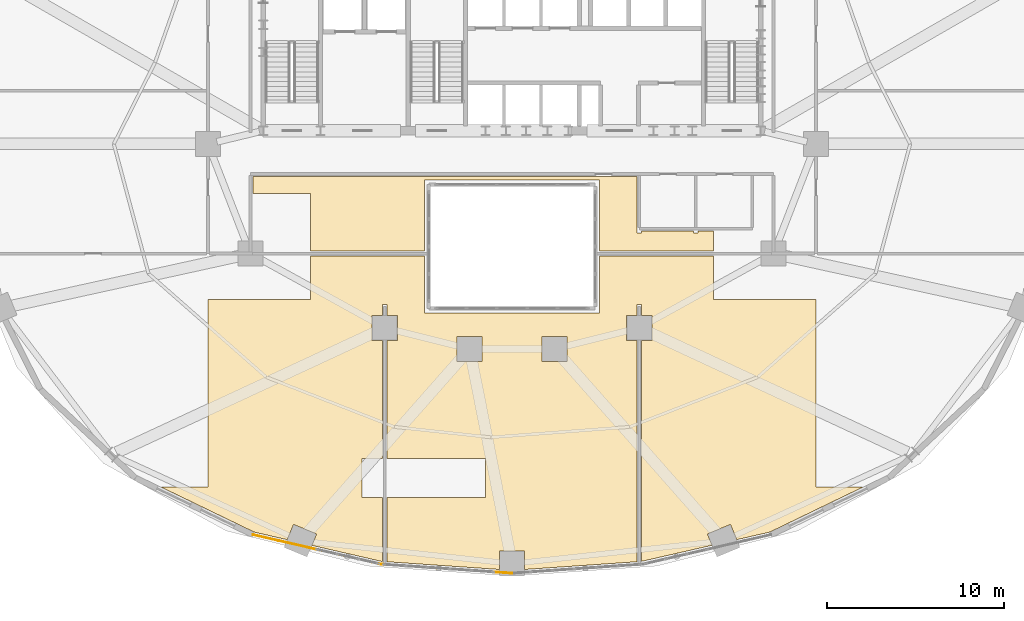
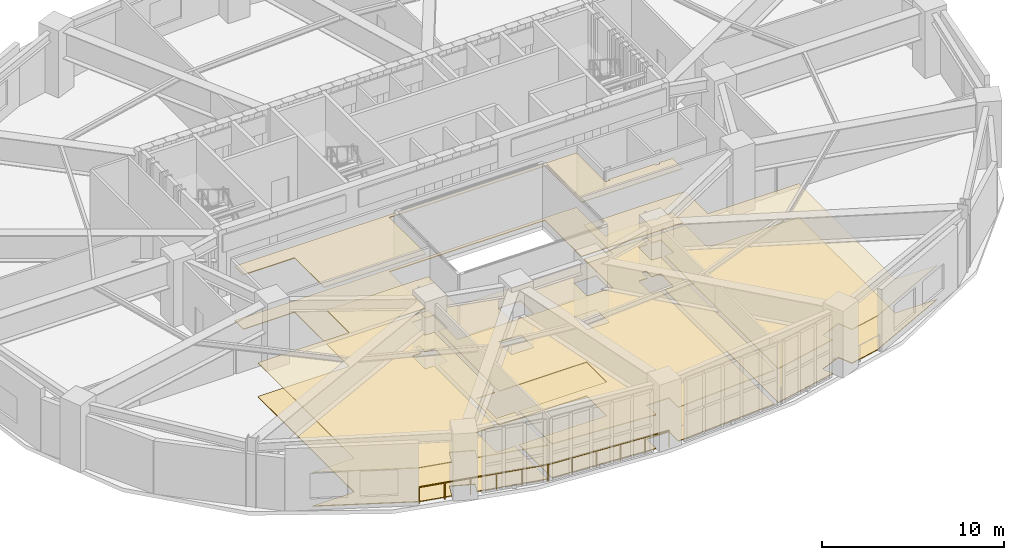
# One storey, part 12 of 13: 4 coverings, 2 railings.
"""IFC4 building model written with IfcOpenShell, lengths in metres."""

from ifc_helpers import new_model, si_unit, direction, frame, origin, origin_2d, place, context, subcontext, project, spatial, polyline, rectangle, outline, extrude, material, layer, layer_set, type_object, element, save


model = new_model("IFC4")

# Units and contexts
model_context = context("Model", 3, precision=1e-05, world=origin(), true_north=direction((0.0, 1.0)))
body_context = subcontext(model_context, "Body", "Model", "MODEL_VIEW")
ifc_project = project(units=[si_unit("LENGTHUNIT", "METRE"), si_unit("AREAUNIT", "SQUARE_METRE"), si_unit("VOLUMEUNIT", "CUBIC_METRE"), si_unit("PLANEANGLEUNIT", "RADIAN"), si_unit("MASSUNIT", "GRAM", prefix="KILO")], contexts=[model_context])

# Site, building, storey
site_placement = place(None, origin())
site = spatial("IfcSite", under=ifc_project, at=site_placement, CompositionType="ELEMENT")
building_placement = place(site_placement, origin())
building = spatial("IfcBuilding", under=site, at=building_placement, Name="Haldorwick Loom Tower", CompositionType="ELEMENT")
storey_placement = place(building_placement, frame((0.0, 0.0, 72.300048828125)))
storey = spatial("IfcBuildingStorey", under=building, at=storey_placement, Name="L19", CompositionType="ELEMENT", Elevation=72.300048828125)

# Coverings
ifc_material_1 = material(Name="Mineral Fibre Acoustic Ceiling Tile")
ifc_layer_1 = layer(ifc_material_1, 0.054931640625, Name="Mineral Fibre Acoustic Ceiling Tile")
ifc_layer_set_1 = layer_set([ifc_layer_1], Name="Mineral Fibre Acoustic Ceiling Tile")
covering_type_1 = type_object("IfcCoveringType", Name="ARC-COV-CEIL2", PredefinedType="CEILING", material=ifc_layer_set_1)
covering_1_placement = place(storey_placement, frame((0.0, 0.0, 2.264892578125)))
element("IfcCovering", 1, at=covering_1_placement, inside=storey, type_object=covering_type_1, Name="L19 Acoustic Suspended Ceiling 1", PredefinedType="CEILING", context=body_context, shape_type="SweptSolid", body=[
    extrude(outline(polyline([(55.883056640625, 6.60009765625), (53.199951171875, 6.60009765625), (53.199951171875, 17.199951171875), (47.39990234375, 17.199951171875), (47.39990234375, 19.669921875), (40.949951171875, 19.669921875), (40.949951171875, 16.449951171875), (31.050048828125, 16.449951171875), (31.050048828125, 19.669921875), (24.60009765625, 19.669921875), (24.60009765625, 17.199951171875), (18.800048828125, 17.199951171875), (18.800048828125, 6.60009765625), (16.116943359375, 6.60009765625), (21.410400390625, 4.041015625), (23.28076171875, 3.6103515625), (23.638916015625, 4.474609375), (24.947021484375, 3.932861328125), (24.68017578125, 3.288330078125), (28.613037109375, 2.38330078125), (28.669921875, 2.37939453125), (28.669921875, 6.0), (27.5, 6.0), (27.5, 8.199951171875), (28.669921875, 8.199951171875), (28.669921875, 14.89208984375), (28.092041015625, 14.89208984375), (28.092041015625, 16.30810546875), (28.669921875, 16.30810546875), (28.669921875, 16.909912109375), (28.670166015625, 16.912109375), (28.67041015625, 16.913818359375), (28.6708984375, 16.915771484375), (28.67138671875, 16.917724609375), (28.67236328125, 16.91943359375), (28.67333984375, 16.921142578125), (28.674560546875, 16.922607421875), (28.67578125, 16.924072265625), (28.67724609375, 16.925537109375), (28.678955078125, 16.926513671875), (28.6806640625, 16.927490234375), (28.682373046875, 16.928466796875), (28.68408203125, 16.92919921875), (28.68603515625, 16.9296875), (28.68798828125, 16.929931640625), (28.68994140625, 16.929931640625), (28.909912109375, 16.929931640625), (28.912109375, 16.929931640625), (28.913818359375, 16.9296875), (28.915771484375, 16.92919921875), (28.917724609375, 16.928466796875), (28.91943359375, 16.927490234375), (28.921142578125, 16.926513671875), (28.922607421875, 16.925537109375), (28.924072265625, 16.924072265625), (28.925537109375, 16.922607421875), (28.926513671875, 16.921142578125), (28.927490234375, 16.91943359375), (28.928466796875, 16.917724609375), (28.92919921875, 16.915771484375), (28.9296875, 16.913818359375), (28.929931640625, 16.912109375), (28.929931640625, 16.909912109375), (28.929931640625, 16.30810546875), (29.508056640625, 16.30810546875), (29.508056640625, 14.89208984375), (28.929931640625, 14.89208984375), (28.929931640625, 8.199951171875), (34.5, 8.199951171875), (34.5, 6.0), (28.929931640625, 6.0), (28.929931640625, 2.361572265625), (35.2919921875, 1.924072265625), (35.2919921875, 2.9580078125), (36.7080078125, 2.9580078125), (36.7080078125, 1.924072265625), (43.070068359375, 2.361572265625), (43.070068359375, 14.89208984375), (42.491943359375, 14.89208984375), (42.491943359375, 16.30810546875), (43.070068359375, 16.30810546875), (43.070068359375, 16.909912109375), (43.070068359375, 16.912109375), (43.0703125, 16.913818359375), (43.07080078125, 16.915771484375), (43.071533203125, 16.917724609375), (43.072509765625, 16.91943359375), (43.073486328125, 16.921142578125), (43.074462890625, 16.922607421875), (43.075927734375, 16.924072265625), (43.077392578125, 16.925537109375), (43.078857421875, 16.926513671875), (43.08056640625, 16.927490234375), (43.082275390625, 16.928466796875), (43.084228515625, 16.92919921875), (43.086181640625, 16.9296875), (43.087890625, 16.929931640625), (43.090087890625, 16.929931640625), (43.31005859375, 16.929931640625), (43.31201171875, 16.929931640625), (43.31396484375, 16.9296875), (43.31591796875, 16.92919921875), (43.317626953125, 16.928466796875), (43.3193359375, 16.927490234375), (43.321044921875, 16.926513671875), (43.32275390625, 16.925537109375), (43.32421875, 16.924072265625), (43.325439453125, 16.922607421875), (43.32666015625, 16.921142578125), (43.32763671875, 16.91943359375), (43.32861328125, 16.917724609375), (43.3291015625, 16.915771484375), (43.32958984375, 16.913818359375), (43.329833984375, 16.912109375), (43.330078125, 16.909912109375), (43.330078125, 16.30810546875), (43.907958984375, 16.30810546875), (43.907958984375, 14.89208984375), (43.330078125, 14.89208984375), (43.330078125, 2.383056640625), (47.317626953125, 3.293701171875), (47.052978515625, 3.932861328125), (48.361083984375, 4.474609375), (48.718017578125, 3.61328125), (50.589599609375, 4.041015625), (55.883056640625, 6.60009765625)]), holes=[polyline([(34.30810546875, 15.10791015625), (34.30810546875, 13.69189453125), (32.89208984375, 13.69189453125), (32.89208984375, 15.10791015625), (34.30810546875, 15.10791015625)]), polyline([(39.10791015625, 15.10791015625), (39.10791015625, 13.69189453125), (37.69189453125, 13.69189453125), (37.69189453125, 15.10791015625), (39.10791015625, 15.10791015625)])]), origin(), (0.0, 0.0, 1.0), 0.05517578125),
])
covering_2_placement = place(storey_placement, frame((0.0, 0.0, 3.64501953125)))
element("IfcCovering", 2, at=covering_2_placement, inside=storey, type_object=covering_type_1, Name="L19 Acoustic Suspended Ceiling 2", PredefinedType="CEILING", context=body_context, shape_type="SweptSolid", body=[
    extrude(outline(polyline([(47.39990234375, 19.936767578125), (47.39990234375, 21.070068359375), (46.530029296875, 21.070068359375), (46.530029296875, 20.989990234375), (46.52978515625, 20.988037109375), (46.529541015625, 20.986083984375), (46.529052734375, 20.984130859375), (46.528564453125, 20.982421875), (46.527587890625, 20.980712890625), (46.526611328125, 20.97900390625), (46.525390625, 20.977294921875), (46.524169921875, 20.975830078125), (46.522705078125, 20.974609375), (46.52099609375, 20.973388671875), (46.519287109375, 20.972412109375), (46.517578125, 20.971435546875), (46.515869140625, 20.970947265625), (46.513916015625, 20.970458984375), (46.511962890625, 20.97021484375), (46.510009765625, 20.969970703125), (46.2900390625, 20.969970703125), (46.2880859375, 20.97021484375), (46.2861328125, 20.970458984375), (46.2841796875, 20.970947265625), (46.2822265625, 20.971435546875), (46.280517578125, 20.972412109375), (46.27880859375, 20.973388671875), (46.27734375, 20.974609375), (46.27587890625, 20.975830078125), (46.2744140625, 20.977294921875), (46.2734375, 20.97900390625), (46.2724609375, 20.980712890625), (46.271484375, 20.982421875), (46.27099609375, 20.984130859375), (46.2705078125, 20.986083984375), (46.27001953125, 20.988037109375), (46.27001953125, 20.989990234375), (46.27001953125, 21.070068359375), (43.330078125, 21.070068359375), (43.330078125, 20.989990234375), (43.329833984375, 20.988037109375), (43.32958984375, 20.986083984375), (43.3291015625, 20.984130859375), (43.32861328125, 20.982421875), (43.32763671875, 20.980712890625), (43.32666015625, 20.97900390625), (43.325439453125, 20.977294921875), (43.32421875, 20.975830078125), (43.32275390625, 20.974609375), (43.321044921875, 20.973388671875), (43.3193359375, 20.972412109375), (43.317626953125, 20.971435546875), (43.31591796875, 20.970947265625), (43.31396484375, 20.970458984375), (43.31201171875, 20.97021484375), (43.31005859375, 20.969970703125), (43.090087890625, 20.969970703125), (43.087890625, 20.97021484375), (43.086181640625, 20.970458984375), (43.084228515625, 20.970947265625), (43.082275390625, 20.971435546875), (43.08056640625, 20.972412109375), (43.078857421875, 20.973388671875), (43.077392578125, 20.974609375), (43.075927734375, 20.975830078125), (43.074462890625, 20.977294921875), (43.073486328125, 20.97900390625), (43.072509765625, 20.980712890625), (43.071533203125, 20.982421875), (43.07080078125, 20.984130859375), (43.0703125, 20.986083984375), (43.070068359375, 20.988037109375), (43.070068359375, 20.989990234375), (43.070068359375, 24.159912109375), (21.340087890625, 24.159912109375), (21.340087890625, 23.199951171875), (24.60009765625, 23.199951171875), (24.60009765625, 19.936767578125), (31.050048828125, 19.93017578125), (31.050048828125, 23.949951171875), (40.949951171875, 23.949951171875), (40.949951171875, 19.93017578125), (47.39990234375, 19.936767578125)])), origin(), (0.0, 0.0, 1.0), 0.054931640625),
])
ifc_material_2 = material(Name="Polished Aggregate Terrazzo Finish")
ifc_layer_2 = layer(ifc_material_2, 0.044921875, Name="Polished Aggregate Terrazzo Finish")
ifc_layer_set_2 = layer_set([ifc_layer_2], Name="Polished Aggregate Terrazzo Finish")
covering_type_2 = type_object("IfcCoveringType", Name="ARC-COV-FLOOR2", PredefinedType="FLOORING", material=ifc_layer_set_2)
covering_3_placement = place(storey_placement, origin())
element("IfcCovering", 3, at=covering_3_placement, inside=storey, type_object=covering_type_2, Name="L19 Floor Finish 1", PredefinedType="FLOORING", context=body_context, shape_type="SweptSolid", body=[
    extrude(outline(polyline([(55.883056640625, 6.60009765625), (53.199951171875, 6.60009765625), (53.199951171875, 17.199951171875), (47.39990234375, 17.199951171875), (47.39990234375, 19.669921875), (40.949951171875, 19.669921875), (40.949951171875, 16.449951171875), (31.050048828125, 16.449951171875), (31.050048828125, 19.669921875), (24.60009765625, 19.669921875), (24.60009765625, 17.199951171875), (18.800048828125, 17.199951171875), (18.800048828125, 6.60009765625), (16.116943359375, 6.60009765625), (21.410400390625, 4.041015625), (23.28076171875, 3.6103515625), (23.638916015625, 4.474609375), (24.947021484375, 3.932861328125), (24.68017578125, 3.288330078125), (28.613037109375, 2.38330078125), (28.669921875, 2.37939453125), (28.669921875, 6.0), (27.5, 6.0), (27.5, 8.199951171875), (28.669921875, 8.199951171875), (28.669921875, 14.89208984375), (28.092041015625, 14.89208984375), (28.092041015625, 16.30810546875), (28.669921875, 16.30810546875), (28.669921875, 16.909912109375), (28.670166015625, 16.912109375), (28.67041015625, 16.913818359375), (28.6708984375, 16.915771484375), (28.67138671875, 16.917724609375), (28.67236328125, 16.91943359375), (28.67333984375, 16.921142578125), (28.674560546875, 16.922607421875), (28.67578125, 16.924072265625), (28.67724609375, 16.925537109375), (28.678955078125, 16.926513671875), (28.6806640625, 16.927490234375), (28.682373046875, 16.928466796875), (28.68408203125, 16.92919921875), (28.68603515625, 16.9296875), (28.68798828125, 16.929931640625), (28.68994140625, 16.929931640625), (28.909912109375, 16.929931640625), (28.912109375, 16.929931640625), (28.913818359375, 16.9296875), (28.915771484375, 16.92919921875), (28.917724609375, 16.928466796875), (28.91943359375, 16.927490234375), (28.921142578125, 16.926513671875), (28.922607421875, 16.925537109375), (28.924072265625, 16.924072265625), (28.925537109375, 16.922607421875), (28.926513671875, 16.921142578125), (28.927490234375, 16.91943359375), (28.928466796875, 16.917724609375), (28.92919921875, 16.915771484375), (28.9296875, 16.913818359375), (28.929931640625, 16.912109375), (28.929931640625, 16.909912109375), (28.929931640625, 16.30810546875), (29.508056640625, 16.30810546875), (29.508056640625, 14.89208984375), (28.929931640625, 14.89208984375), (28.929931640625, 8.199951171875), (34.5, 8.199951171875), (34.5, 6.0), (28.929931640625, 6.0), (28.929931640625, 2.361572265625), (35.2919921875, 1.924072265625), (35.2919921875, 2.9580078125), (36.7080078125, 2.9580078125), (36.7080078125, 1.924072265625), (43.070068359375, 2.361572265625), (43.070068359375, 14.89208984375), (42.491943359375, 14.89208984375), (42.491943359375, 16.30810546875), (43.070068359375, 16.30810546875), (43.070068359375, 16.909912109375), (43.070068359375, 16.912109375), (43.0703125, 16.913818359375), (43.07080078125, 16.915771484375), (43.071533203125, 16.917724609375), (43.072509765625, 16.91943359375), (43.073486328125, 16.921142578125), (43.074462890625, 16.922607421875), (43.075927734375, 16.924072265625), (43.077392578125, 16.925537109375), (43.078857421875, 16.926513671875), (43.08056640625, 16.927490234375), (43.082275390625, 16.928466796875), (43.084228515625, 16.92919921875), (43.086181640625, 16.9296875), (43.087890625, 16.929931640625), (43.090087890625, 16.929931640625), (43.31005859375, 16.929931640625), (43.31201171875, 16.929931640625), (43.31396484375, 16.9296875), (43.31591796875, 16.92919921875), (43.317626953125, 16.928466796875), (43.3193359375, 16.927490234375), (43.321044921875, 16.926513671875), (43.32275390625, 16.925537109375), (43.32421875, 16.924072265625), (43.325439453125, 16.922607421875), (43.32666015625, 16.921142578125), (43.32763671875, 16.91943359375), (43.32861328125, 16.917724609375), (43.3291015625, 16.915771484375), (43.32958984375, 16.913818359375), (43.329833984375, 16.912109375), (43.330078125, 16.909912109375), (43.330078125, 16.30810546875), (43.907958984375, 16.30810546875), (43.907958984375, 14.89208984375), (43.330078125, 14.89208984375), (43.330078125, 2.383056640625), (47.317626953125, 3.293701171875), (47.052978515625, 3.932861328125), (48.361083984375, 4.474609375), (48.718017578125, 3.61328125), (50.589599609375, 4.041015625), (55.883056640625, 6.60009765625)]), holes=[polyline([(34.30810546875, 15.10791015625), (34.30810546875, 13.69189453125), (32.89208984375, 13.69189453125), (32.89208984375, 15.10791015625), (34.30810546875, 15.10791015625)]), polyline([(39.10791015625, 15.10791015625), (39.10791015625, 13.69189453125), (37.69189453125, 13.69189453125), (37.69189453125, 15.10791015625), (39.10791015625, 15.10791015625)])]), origin(), (0.0, 0.0, 1.0), 0.044921875),
])
covering_4_placement = place(storey_placement, origin())
element("IfcCovering", 4, at=covering_4_placement, inside=storey, type_object=covering_type_2, Name="L19 Floor Finish 2", PredefinedType="FLOORING", context=body_context, shape_type="SweptSolid", body=[
    extrude(outline(polyline([(47.39990234375, 19.936767578125), (47.39990234375, 21.070068359375), (46.530029296875, 21.070068359375), (46.530029296875, 20.989990234375), (46.52978515625, 20.988037109375), (46.529541015625, 20.986083984375), (46.529052734375, 20.984130859375), (46.528564453125, 20.982421875), (46.527587890625, 20.980712890625), (46.526611328125, 20.97900390625), (46.525390625, 20.977294921875), (46.524169921875, 20.975830078125), (46.522705078125, 20.974609375), (46.52099609375, 20.973388671875), (46.519287109375, 20.972412109375), (46.517578125, 20.971435546875), (46.515869140625, 20.970947265625), (46.513916015625, 20.970458984375), (46.511962890625, 20.97021484375), (46.510009765625, 20.969970703125), (46.2900390625, 20.969970703125), (46.2880859375, 20.97021484375), (46.2861328125, 20.970458984375), (46.2841796875, 20.970947265625), (46.2822265625, 20.971435546875), (46.280517578125, 20.972412109375), (46.27880859375, 20.973388671875), (46.27734375, 20.974609375), (46.27587890625, 20.975830078125), (46.2744140625, 20.977294921875), (46.2734375, 20.97900390625), (46.2724609375, 20.980712890625), (46.271484375, 20.982421875), (46.27099609375, 20.984130859375), (46.2705078125, 20.986083984375), (46.27001953125, 20.988037109375), (46.27001953125, 20.989990234375), (46.27001953125, 21.070068359375), (43.330078125, 21.070068359375), (43.330078125, 20.989990234375), (43.329833984375, 20.988037109375), (43.32958984375, 20.986083984375), (43.3291015625, 20.984130859375), (43.32861328125, 20.982421875), (43.32763671875, 20.980712890625), (43.32666015625, 20.97900390625), (43.325439453125, 20.977294921875), (43.32421875, 20.975830078125), (43.32275390625, 20.974609375), (43.321044921875, 20.973388671875), (43.3193359375, 20.972412109375), (43.317626953125, 20.971435546875), (43.31591796875, 20.970947265625), (43.31396484375, 20.970458984375), (43.31201171875, 20.97021484375), (43.31005859375, 20.969970703125), (43.090087890625, 20.969970703125), (43.087890625, 20.97021484375), (43.086181640625, 20.970458984375), (43.084228515625, 20.970947265625), (43.082275390625, 20.971435546875), (43.08056640625, 20.972412109375), (43.078857421875, 20.973388671875), (43.077392578125, 20.974609375), (43.075927734375, 20.975830078125), (43.074462890625, 20.977294921875), (43.073486328125, 20.97900390625), (43.072509765625, 20.980712890625), (43.071533203125, 20.982421875), (43.07080078125, 20.984130859375), (43.0703125, 20.986083984375), (43.070068359375, 20.988037109375), (43.070068359375, 20.989990234375), (43.070068359375, 24.159912109375), (21.340087890625, 24.159912109375), (21.340087890625, 23.199951171875), (24.60009765625, 23.199951171875), (24.60009765625, 19.936767578125), (31.050048828125, 19.93017578125), (31.050048828125, 23.949951171875), (40.949951171875, 23.949951171875), (40.949951171875, 19.93017578125), (47.39990234375, 19.936767578125)])), origin(), (0.0, 0.0, 1.0), 0.044921875),
])

# Railings
ifc_material_3 = material(Name="Galvanized Steel CSA G40.21 350W", Category="steel")
railing_type = type_object("IfcRailingType", Name="ARC-RLG-BAL115", PredefinedType="BALUSTRADE", material=ifc_material_3)
railing_1_placement = place(storey_placement, frame((21.355224609375, 3.88427734375, 0.0)))
element("IfcRailing", 5, at=railing_1_placement, inside=storey, type_object=railing_type, Name="L19 Curtain-Wall Sill Safety Guardrail 17", PredefinedType="BALUSTRADE", context=body_context, shape_type="SweptSolid", body=[
    extrude(rectangle(XDim=0.048095703125, YDim=0.048095703125, at=origin_2d()), frame((0.0, 0.0, 1.1259765625), z_axis=(0.974522412345, -0.224290142088, 0.0), x_axis=(0.224290142088, 0.974522412345, 0.0)), (0.0, 0.0, 1.0), 7.422607421875),
    extrude(rectangle(XDim=0.0419921875, YDim=0.0419921875, at=origin_2d()), origin(), (0.0, 0.0, 1.0), 1.101806640625),
    extrude(rectangle(XDim=0.0419921875, YDim=0.0419921875, at=origin_2d()), frame((1.44677734375, -0.3330078125, 0.0)), (0.0, 0.0, 1.0), 1.101806640625),
    extrude(rectangle(XDim=0.0419921875, YDim=0.0419921875, at=origin_2d()), frame((2.893310546875, -0.666015625, 0.0)), (0.0, 0.0, 1.0), 1.101806640625),
    extrude(rectangle(XDim=0.0419921875, YDim=0.0419921875, at=origin_2d()), frame((4.340087890625, -0.998779296875, 0.0)), (0.0, 0.0, 1.0), 1.101806640625),
    extrude(rectangle(XDim=0.0419921875, YDim=0.0419921875, at=origin_2d()), frame((5.78662109375, -1.331787109375, 0.0)), (0.0, 0.0, 1.0), 1.101806640625),
    extrude(rectangle(XDim=0.0419921875, YDim=0.0419921875, at=origin_2d()), frame((7.2333984375, -1.664794921875, 0.0)), (0.0, 0.0, 1.0), 1.101806640625),
])
railing_2_placement = place(storey_placement, frame((28.588623046875, 2.219482421875, 0.0)))
element("IfcRailing", 6, at=railing_2_placement, inside=storey, type_object=railing_type, Name="L19 Curtain-Wall Sill Safety Guardrail 18", PredefinedType="BALUSTRADE", context=body_context, shape_type="SweptSolid", body=[
    extrude(rectangle(XDim=0.048095703125, YDim=0.048095703125, at=origin_2d()), frame((0.0, 0.0, 1.1259765625), z_axis=(0.997645161917, -0.068586667092, 0.0), x_axis=(0.068586667092, 0.997645161917, 0.0)), (0.0, 0.0, 1.0), 7.428955078125),
    extrude(rectangle(XDim=0.0419921875, YDim=0.0419921875, at=origin_2d()), origin(), (0.0, 0.0, 1.0), 1.101806640625),
    extrude(rectangle(XDim=0.0419921875, YDim=0.0419921875, at=origin_2d()), frame((1.482177734375, -0.101806640625, 0.0)), (0.0, 0.0, 1.0), 1.101806640625),
    extrude(rectangle(XDim=0.0419921875, YDim=0.0419921875, at=origin_2d()), frame((2.964599609375, -0.203857421875, 0.0)), (0.0, 0.0, 1.0), 1.101806640625),
    extrude(rectangle(XDim=0.0419921875, YDim=0.0419921875, at=origin_2d()), frame((4.44677734375, -0.3056640625, 0.0)), (0.0, 0.0, 1.0), 1.101806640625),
    extrude(rectangle(XDim=0.0419921875, YDim=0.0419921875, at=origin_2d()), frame((5.92919921875, -0.40771484375, 0.0)), (0.0, 0.0, 1.0), 1.101806640625),
    extrude(rectangle(XDim=0.0419921875, YDim=0.0419921875, at=origin_2d()), frame((7.411376953125, -0.509521484375, 0.0)), (0.0, 0.0, 1.0), 1.101806640625),
])

save(model, "model.ifc")
